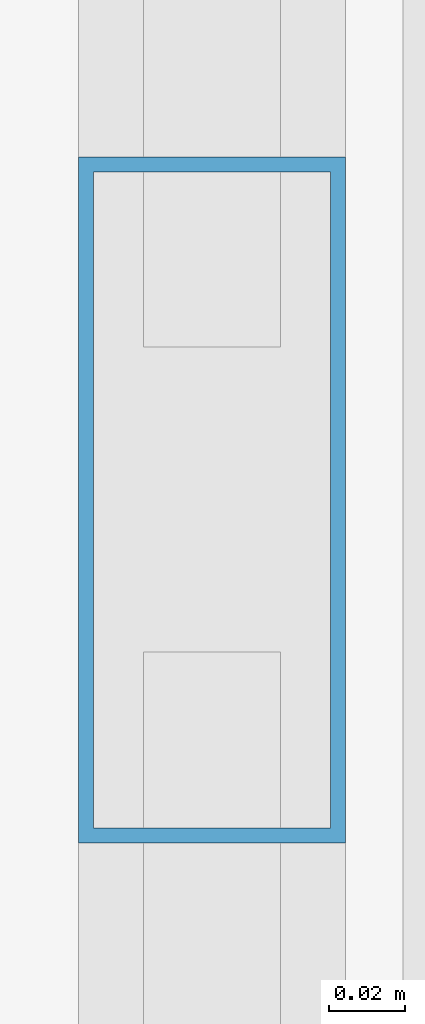
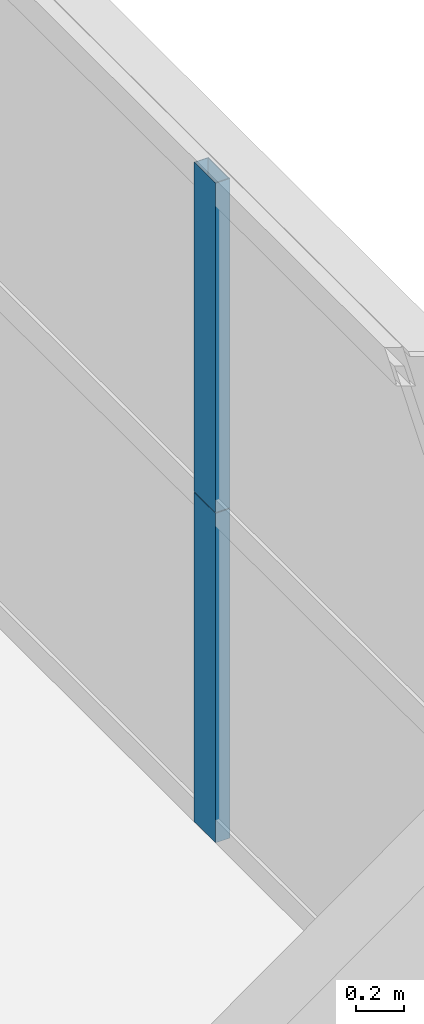
# One storey, part 33 of 45: 2 members, 1 element without a shape of its own.
"""IFC4 building model written with IfcOpenShell, lengths in metres."""

from ifc_helpers import new_model, si_unit, direction, frame, origin, origin_2d, place, context, subcontext, project, spatial, hollow_rectangle, extrude, source, transform, mapped, material, layer, layer_set, material_profile, profile_set, type_object, element, aggregate, save


model = new_model("IFC4")

# Units and contexts
model_context = context("Model", 3, precision=1e-05, world=origin(), true_north=direction((0.0, 1.0)))
body_context = subcontext(model_context, "Body", "Model", "MODEL_VIEW")
ifc_project = project(units=[si_unit("LENGTHUNIT", "METRE"), si_unit("AREAUNIT", "SQUARE_METRE"), si_unit("VOLUMEUNIT", "CUBIC_METRE"), si_unit("PLANEANGLEUNIT", "RADIAN"), si_unit("MASSUNIT", "GRAM", prefix="KILO"), si_unit("THERMODYNAMICTEMPERATUREUNIT", "KELVIN"), si_unit("POWERUNIT", "WATT")], contexts=[model_context])

# Site, building, storey
site_placement = place(None, origin())
site = spatial("IfcSite", under=ifc_project, at=site_placement, CompositionType="ELEMENT")
building_placement = place(site_placement, origin())
building = spatial("IfcBuilding", under=site, at=building_placement, Name="Yuzanri Waterfront Tower", CompositionType="ELEMENT")
storey_placement = place(building_placement, frame((0.0, 0.0, 34.199951171875)))
storey = spatial("IfcBuildingStorey", under=building, at=storey_placement, Name="L08", CompositionType="ELEMENT", Elevation=34.199951171875)

# Curtain wall, members
ifc_material_1 = material(Name="Anodized Architectural Bronze", Category="metal")
ifc_layer = layer(ifc_material_1, 0.159912109375)
ifc_layer_set = layer_set([ifc_layer], Name="Anodized Architectural Bronze")
curtain_wall_type = type_object("IfcCurtainWallType", Name="Anodized Bronze Hotel Lower-Tier Recessed Unitized Curtain Wall 8100", PredefinedType="NOTDEFINED", material=ifc_layer_set)
curtain_wall_placement = place(storey_placement, origin())
curtain_wall = element("IfcCurtainWall", 1, at=curtain_wall_placement, inside=storey, type_object=curtain_wall_type, Name="L08 Curtain Wall CW-L08-ER", PredefinedType="NOTDEFINED")
ifc_material_2 = material(Name="Anodized Architectural Bronze", Category="metal")
ifc_material_profile = material_profile(ifc_material_2, hollow_rectangle(XDim=0.070068359375, YDim=0.179931640625, WallThickness=0.00390625, at=origin_2d()), Name="CWM 70x180")
ifc_profile_set = profile_set([ifc_material_profile], Name="Anodized Architectural Bronze")
member_type = type_object("IfcMemberType", Name="Anodized Bronze Standard Curtain-Wall Mullion 70x180", PredefinedType="MULLION", material=ifc_profile_set)
shared_shape = source(origin(), body_context, "Body", "SweptSolid", [
    extrude(hollow_rectangle(XDim=0.070068359375, YDim=0.179931640625, WallThickness=0.00390625, at=origin_2d()), origin(), (0.0, 0.0, 1.0), 1.68798828125),
])
member_1_placement = place(storey_placement, frame((61.949951171875, 34.89990234375, 0.0), z_axis=(0.0, 0.0, 1.0), x_axis=(1.0, 0.0, 0.0)))
member_1 = element("IfcMember", 2, at=member_1_placement, type_object=member_type, Name="CW-L08-ER Lower Mullion 01", PredefinedType="MULLION", context=body_context, shape_type="MappedRepresentation", body=[
    mapped(shared_shape, transform((0.0, 0.0, 0.0), scale=1.0)),
])
member_2_placement = place(storey_placement, frame((61.949951171875, 34.89990234375, 1.692138671875), z_axis=(0.0, 0.0, 1.0), x_axis=(1.0, 0.0, 0.0)))
member_2 = element("IfcMember", 3, at=member_2_placement, type_object=member_type, Name="CW-L08-ER Upper Mullion 01", PredefinedType="MULLION", context=body_context, shape_type="MappedRepresentation", body=[
    mapped(shared_shape, transform((0.0, 0.0, 0.0), scale=1.0)),
])
aggregate(curtain_wall, [member_1, member_2])

save(model, "model.ifc")
